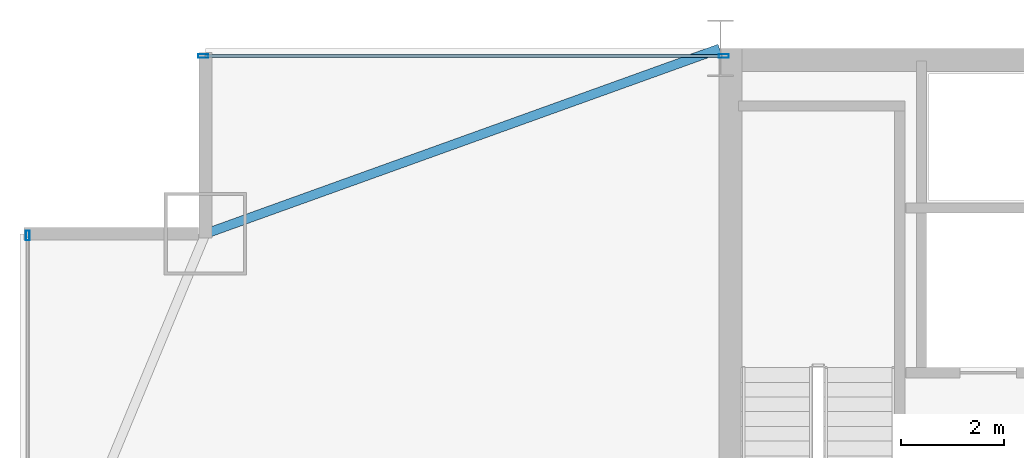
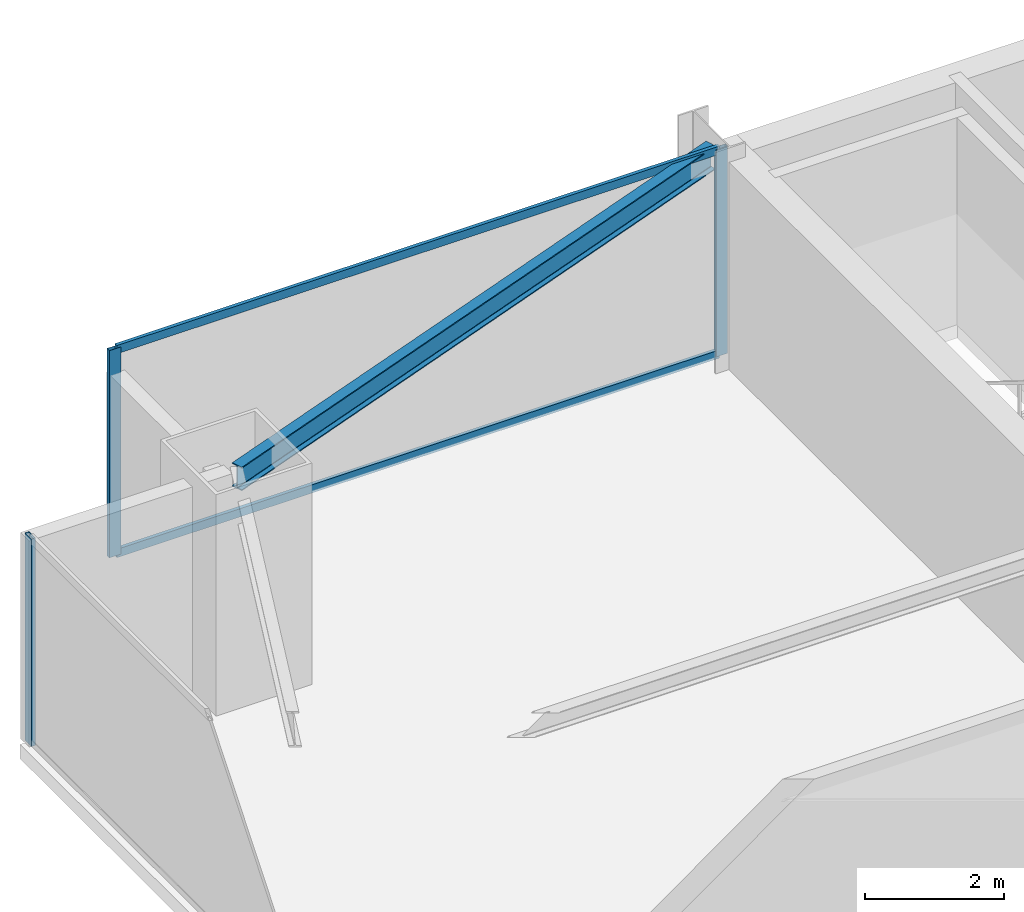
# One storey, part 20 of 31: 5 members, 1 beam, 2 elements without a shape of their own.
"""IFC4 building model written with IfcOpenShell, lengths in metres."""

from ifc_helpers import new_model, si_unit, direction, frame, origin, origin_2d, place, context, subcontext, project, spatial, hollow_rectangle, i_section, extrude, source, transform, mapped, material, layer, layer_set, material_profile, profile_set, type_object, type_shapes, element, aggregate, save


model = new_model("IFC4")

# Units and contexts
model_context = context("Model", 3, precision=1e-05, world=origin(), true_north=direction((0.0, 1.0)))
body_context = subcontext(model_context, "Body", "Model", "MODEL_VIEW")
ifc_project = project(units=[si_unit("LENGTHUNIT", "METRE"), si_unit("AREAUNIT", "SQUARE_METRE"), si_unit("VOLUMEUNIT", "CUBIC_METRE"), si_unit("PLANEANGLEUNIT", "RADIAN"), si_unit("MASSUNIT", "GRAM", prefix="KILO")], contexts=[model_context])

# Site, building, storey
site_placement = place(None, origin())
site = spatial("IfcSite", under=ifc_project, at=site_placement, CompositionType="ELEMENT")
building_placement = place(site_placement, origin())
building = spatial("IfcBuilding", under=site, at=building_placement, Name="Varnel Quay Broadcast Tower", CompositionType="ELEMENT")
storey_placement = place(building_placement, frame((0.0, 0.0, 39.300048828125)))
storey = spatial("IfcBuildingStorey", under=building, at=storey_placement, Name="L08", CompositionType="ELEMENT", Elevation=39.300048828125)

# Beam
ifc_material_1 = material(Name="Structural Steel CSA G40.21 350W", Category="steel")
ifc_material_profile_1 = material_profile(ifc_material_1, i_section(OverallWidth=0.180908203125, OverallDepth=0.4169921875, WebThickness=0.010986328125, FlangeThickness=0.018310546875, FilletRadius=0.011962890625, at=origin_2d()), Name="W410X85")
ifc_profile_set_1 = profile_set([ifc_material_profile_1], Name="Structural Steel CSA G40.21 350W")
beam_type = type_object("IfcBeamType", Name="Beam_W410X85", PredefinedType="SPANDREL", material=ifc_profile_set_1)
shared_shape_1 = source(origin(), body_context, "Body", "SweptSolid", [
    extrude(i_section(OverallWidth=0.180908203125, OverallDepth=0.4169921875, WebThickness=0.010986328125, FlangeThickness=0.018310546875, FilletRadius=0.011962890625, at=origin_2d()), origin(), (0.0, 0.0, 1.0), 10.58837890625),
])
type_shapes(beam_type, [shared_shape_1])
beam_placement = place(storey_placement, frame((5.618896484375, 43.206787109375, 3.44140625), z_axis=(0.940888587605, 0.338716202321, 0.0), x_axis=(-0.338716202321, 0.940888587605, 0.0)))
element("IfcBeam", 1, at=beam_placement, inside=storey, type_object=beam_type, Name="L08 NW Tie Spandrel", PredefinedType="SPANDREL", context=body_context, shape_type="MappedRepresentation", body=[
    mapped(shared_shape_1, transform((0.0, 0.0, 0.0), x_axis=(1.0, 0.0, 0.0), y_axis=(0.0, 1.0, 0.0), z_axis=(0.0, 0.0, 1.0), scale=1.0)),
])

# Curtain wall, member
ifc_material_2 = material(Name="Anodised Bronze Aluminium 6063-T6", Category="aluminium")
ifc_layer = layer(ifc_material_2, 0.18994140625, Name="Anodised Bronze Aluminium 6063-T6")
ifc_layer_set = layer_set([ifc_layer], Name="Anodised Bronze Aluminium 6063-T6")
curtain_wall_type = type_object("IfcCurtainWallType", Name="CW_LowerTower", PredefinedType="NOTDEFINED", material=ifc_layer_set)
curtain_wall_1_placement = place(storey_placement, origin())
curtain_wall_1 = element("IfcCurtainWall", 2, at=curtain_wall_1_placement, inside=storey, type_object=curtain_wall_type, Name="L08 West Unitised Curtain Wall", PredefinedType="NOTDEFINED")
ifc_material_profile_2 = material_profile(ifc_material_2, hollow_rectangle(XDim=0.070068359375, YDim=0.18994140625, WallThickness=0.00390625, at=origin_2d()), Name="ALU70X190X4")
ifc_profile_set_2 = profile_set([ifc_material_profile_2], Name="Anodised Bronze Aluminium 6063-T6")
member_type_1 = type_object("IfcMemberType", Name="Mull_CWS-02", PredefinedType="MULLION", material=ifc_profile_set_2)
shared_shape_2 = source(origin(), body_context, "Body", "SweptSolid", [
    extrude(hollow_rectangle(XDim=0.070068359375, YDim=0.18994140625, WallThickness=0.00390625, at=origin_2d()), origin(), (0.0, 0.0, 1.0), 3.64990234375),
])
type_shapes(member_type_1, [shared_shape_2])
member_1_placement = place(storey_placement, frame((2.14990234375, 43.1650390625, 0.0), z_axis=(0.0, 0.0, 1.0), x_axis=(-1.0, 0.0, 0.0)))
member_1 = element("IfcMember", 3, at=member_1_placement, type_object=member_type_1, Name="CWS-02 mullion 4", PredefinedType="MULLION", context=body_context, shape_type="MappedRepresentation", body=[
    mapped(shared_shape_2, transform((0.0, 0.0, 0.0), x_axis=(1.0, 0.0, 0.0), y_axis=(0.0, 1.0, 0.0), z_axis=(0.0, 0.0, 1.0), scale=1.0)),
])
aggregate(curtain_wall_1, [member_1])

# Curtain wall, members
curtain_wall_2_placement = place(storey_placement, origin())
curtain_wall_2 = element("IfcCurtainWall", 4, at=curtain_wall_2_placement, inside=storey, type_object=curtain_wall_type, Name="L08 NW Wing Curtain Wall", PredefinedType="NOTDEFINED")
member_2_placement = place(storey_placement, frame((5.554931640625, 46.64990234375, 0.0), z_axis=(0.0, 0.0, 1.0), x_axis=(0.0, 1.0, 0.0)))
member_2 = element("IfcMember", 5, at=member_2_placement, type_object=member_type_1, Name="CWS-02 mullion 1", PredefinedType="MULLION", context=body_context, shape_type="MappedRepresentation", body=[
    mapped(shared_shape_2, transform((0.0, 0.0, 0.0), x_axis=(1.0, 0.0, 0.0), y_axis=(0.0, 1.0, 0.0), z_axis=(0.0, 0.0, 1.0), scale=1.0)),
])
member_3_placement = place(storey_placement, frame((15.6650390625, 46.64990234375, 0.0), z_axis=(0.0, 0.0, 1.0), x_axis=(0.0, 1.0, 0.0)))
member_3 = element("IfcMember", 6, at=member_3_placement, type_object=member_type_1, Name="CWS-02 mullion 2", PredefinedType="MULLION", context=body_context, shape_type="MappedRepresentation", body=[
    mapped(shared_shape_2, transform((0.0, 0.0, 0.0), x_axis=(1.0, 0.0, 0.0), y_axis=(0.0, 1.0, 0.0), z_axis=(0.0, 0.0, 1.0), scale=1.0)),
])
ifc_material_profile_3 = material_profile(ifc_material_2, hollow_rectangle(XDim=0.06005859375, YDim=0.14501953125, WallThickness=0.00341796875, at=origin_2d()), Name="ALU60X145X3.5")
ifc_profile_set_3 = profile_set([ifc_material_profile_3], Name="Anodised Bronze Aluminium 6063-T6")
member_type_2 = type_object("IfcMemberType", Name="Tran_CWS-02", PredefinedType="USERDEFINED", material=ifc_profile_set_3)
shared_shape_3 = source(origin(), body_context, "Body", "SweptSolid", [
    extrude(hollow_rectangle(XDim=0.06005859375, YDim=0.14501953125, WallThickness=0.00341796875, at=origin_2d()), origin(), (0.0, 0.0, 1.0), 10.039794921875),
])
type_shapes(member_type_2, [shared_shape_3])
member_4_placement = place(storey_placement, frame((5.590087890625, 46.64990234375, 0.030029296875), z_axis=(1.0, 0.0, 0.0), x_axis=(0.0, 1.0, 0.0)))
member_4 = element("IfcMember", 7, at=member_4_placement, type_object=member_type_2, Name="CWS-02 transom 1.1", ObjectType="TRANSOM", PredefinedType="USERDEFINED", context=body_context, shape_type="MappedRepresentation", body=[
    mapped(shared_shape_3, transform((0.0, 0.0, 0.0), x_axis=(1.0, 0.0, 0.0), y_axis=(0.0, 1.0, 0.0), z_axis=(0.0, 0.0, 1.0), scale=1.0)),
])
member_5_placement = place(storey_placement, frame((5.590087890625, 46.64990234375, 3.619873046875), z_axis=(1.0, 0.0, 0.0), x_axis=(0.0, 1.0, 0.0)))
member_5 = element("IfcMember", 8, at=member_5_placement, type_object=member_type_2, Name="CWS-02 transom 1.2", ObjectType="TRANSOM", PredefinedType="USERDEFINED", context=body_context, shape_type="MappedRepresentation", body=[
    mapped(shared_shape_3, transform((0.0, 0.0, 0.0), x_axis=(1.0, 0.0, 0.0), y_axis=(0.0, 1.0, 0.0), z_axis=(0.0, 0.0, 1.0), scale=1.0)),
])
aggregate(curtain_wall_2, [member_2, member_3, member_4, member_5])

save(model, "model.ifc")
